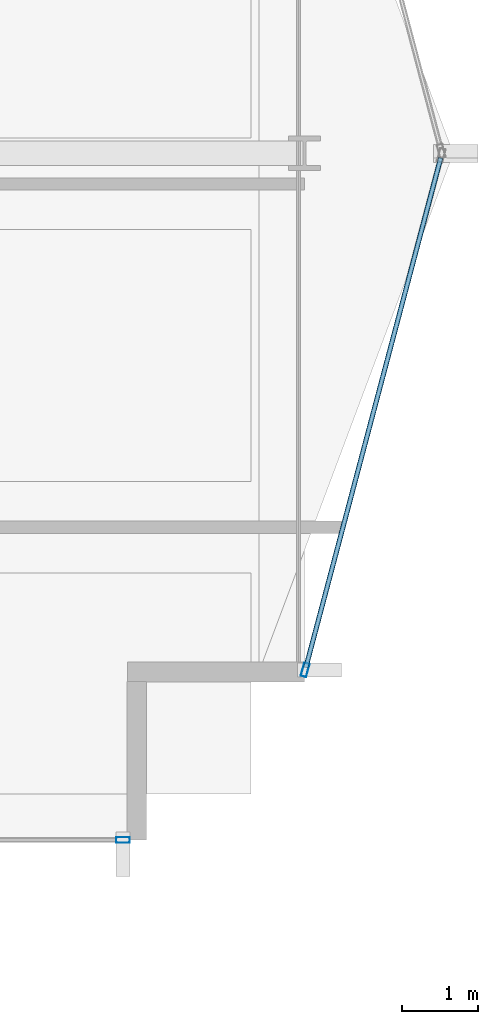
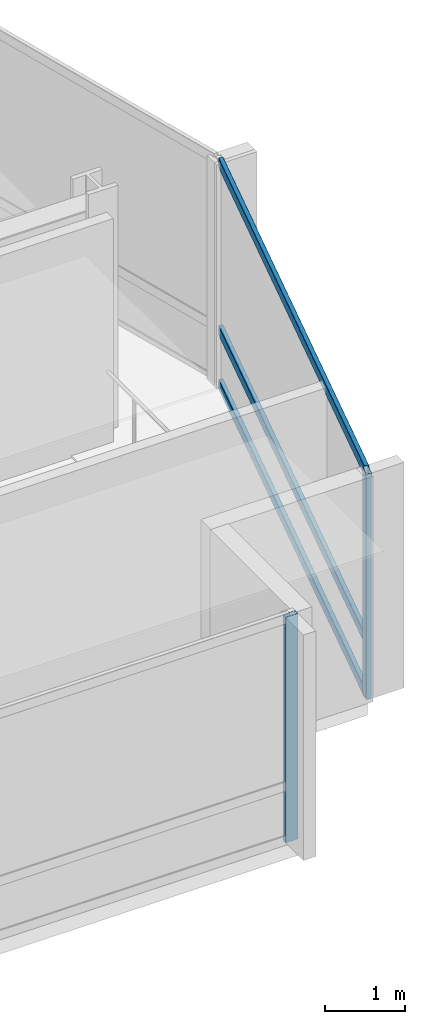
# One storey, part 11 of 29: 5 members, 2 elements without a shape of their own.
"""IFC4 building model written with IfcOpenShell, lengths in metres."""

from ifc_helpers import new_model, si_unit, direction, frame, origin, origin_2d, place, context, subcontext, project, spatial, hollow_rectangle, extrude, material, layer, layer_set, material_profile, profile_set, type_object, element, aggregate, save


model = new_model("IFC4")

# Units and contexts
model_context = context("Model", 3, precision=1e-05, world=origin(), true_north=direction((0.0, 1.0)))
body_context = subcontext(model_context, "Body", "Model", "MODEL_VIEW")
ifc_project = project(units=[si_unit("LENGTHUNIT", "METRE"), si_unit("AREAUNIT", "SQUARE_METRE"), si_unit("VOLUMEUNIT", "CUBIC_METRE"), si_unit("PLANEANGLEUNIT", "RADIAN"), si_unit("MASSUNIT", "GRAM", prefix="KILO")], contexts=[model_context])

# Site, building, storey
site_placement = place(None, origin())
site = spatial("IfcSite", under=ifc_project, at=site_placement, CompositionType="ELEMENT")
building_placement = place(site_placement, origin())
building = spatial("IfcBuilding", under=site, at=building_placement, Name="Solvaryn Broadcast Tower", CompositionType="ELEMENT")
storey_placement = place(building_placement, frame((0.0, 0.0, 117.39990234375)))
storey = spatial("IfcBuildingStorey", under=building, at=storey_placement, Name="L28", CompositionType="ELEMENT", Elevation=117.39990234375)

# Curtain wall, member
ifc_material_1 = material(Name="Aluminium and Terracotta Unitised Curtain Wall", Category="masonry")
ifc_layer = layer(ifc_material_1, 0.199951171875)
ifc_layer_set = layer_set([ifc_layer], Name="CW-SYS2-LOWMID")
curtain_wall_type = type_object("IfcCurtainWallType", Name="CW-SYS2-LOWMID", PredefinedType="NOTDEFINED", material=ifc_layer_set)
curtain_wall_1_placement = place(storey_placement, origin())
curtain_wall_1 = element("IfcCurtainWall", 1, at=curtain_wall_1_placement, inside=storey, type_object=curtain_wall_type, Name="L28 Curtain Wall S2", PredefinedType="NOTDEFINED")
ifc_material_2 = material(Name="Anodised Aluminium 6063-T6", Category="aluminium")
ifc_material_profile_1 = material_profile(ifc_material_2, hollow_rectangle(XDim=0.074951171875, YDim=0.179931640625, WallThickness=0.00390625, InnerFilletRadius=0.00390625, OuterFilletRadius=0.008056640625, at=origin_2d()))
ifc_profile_set_1 = profile_set([ifc_material_profile_1], Name="Anodised Aluminium 6063-T6")
member_type_1 = type_object("IfcMemberType", Name="CW-MUL-180", PredefinedType="MULLION", material=ifc_profile_set_1)
member_1_placement = place(storey_placement, frame((51.6201171875, 9.0, 0.0), z_axis=(0.0, 0.0, 1.0), x_axis=(0.0, 1.0, 0.0)))
member_1 = element("IfcMember", 2, at=member_1_placement, type_object=member_type_1, Name="CWS2 mullion 2", PredefinedType="MULLION", context=body_context, shape_type="SweptSolid", body=[
    extrude(hollow_rectangle(XDim=0.074951171875, YDim=0.179931640625, WallThickness=0.00390625, InnerFilletRadius=0.00390625, OuterFilletRadius=0.008056640625, at=origin_2d()), origin(), (0.0, 0.0, 1.0), 3.420166015625),
])
aggregate(curtain_wall_1, [member_1])

# Curtain wall, members
curtain_wall_2_placement = place(storey_placement, origin())
curtain_wall_2 = element("IfcCurtainWall", 3, at=curtain_wall_2_placement, inside=storey, type_object=curtain_wall_type, Name="L28 Curtain Wall ET2", PredefinedType="NOTDEFINED")
member_2_placement = place(storey_placement, frame((54.007568359375, 11.22900390625, 0.0), z_axis=(0.0, 0.0, 1.0), x_axis=(0.966705227863, -0.25589256031, 0.0)))
member_2 = element("IfcMember", 4, at=member_2_placement, type_object=member_type_1, Name="CWS2 mullion 2", PredefinedType="MULLION", context=body_context, shape_type="SweptSolid", body=[
    extrude(hollow_rectangle(XDim=0.074951171875, YDim=0.179931640625, WallThickness=0.00390625, InnerFilletRadius=0.00390625, OuterFilletRadius=0.008056640625, at=origin_2d()), origin(), (0.0, 0.0, 1.0), 3.420166015625),
])
ifc_material_3 = material(Name="Anodised Aluminium 6063-T6", Category="aluminium")
ifc_material_profile_2 = material_profile(ifc_material_3, hollow_rectangle(XDim=0.06494140625, YDim=0.14990234375, WallThickness=0.00390625, InnerFilletRadius=0.00390625, OuterFilletRadius=0.008056640625, at=origin_2d()))
ifc_profile_set_2 = profile_set([ifc_material_profile_2], Name="Anodised Aluminium 6063-T6")
member_type_2 = type_object("IfcMemberType", Name="CW-TRN-150", PredefinedType="USERDEFINED", material=ifc_profile_set_2)
member_3_placement = place(storey_placement, frame((55.78466796875, 17.94189453125, 0.030029296875), z_axis=(-0.255897413051, -0.966703943301, 0.0), x_axis=(0.966703943301, -0.255897413051, 0.0)))
member_3 = element("IfcMember", 5, at=member_3_placement, type_object=member_type_2, Name="CWS2 transom 1.1", ObjectType="TRANSOM", PredefinedType="USERDEFINED", context=body_context, shape_type="SweptSolid", body=[
    extrude(hollow_rectangle(XDim=0.06494140625, YDim=0.14990234375, WallThickness=0.00390625, InnerFilletRadius=0.00390625, OuterFilletRadius=0.008056640625, at=origin_2d()), origin(), (0.0, 0.0, 1.0), 6.9140625),
])
member_4_placement = place(storey_placement, frame((55.78466796875, 17.94189453125, 0.85009765625), z_axis=(-0.255897413051, -0.966703943301, 0.0), x_axis=(0.966703943301, -0.255897413051, 0.0)))
member_4 = element("IfcMember", 6, at=member_4_placement, type_object=member_type_2, Name="CWS2 transom 1.2", ObjectType="TRANSOM", PredefinedType="USERDEFINED", context=body_context, shape_type="SweptSolid", body=[
    extrude(hollow_rectangle(XDim=0.06494140625, YDim=0.14990234375, WallThickness=0.00390625, InnerFilletRadius=0.00390625, OuterFilletRadius=0.008056640625, at=origin_2d()), origin(), (0.0, 0.0, 1.0), 6.9140625),
])
member_5_placement = place(storey_placement, frame((55.78466796875, 17.94189453125, 3.39013671875), z_axis=(-0.255897413051, -0.966703943301, 0.0), x_axis=(0.966703943301, -0.255897413051, 0.0)))
member_5 = element("IfcMember", 7, at=member_5_placement, type_object=member_type_2, Name="CWS2 transom 1.3", ObjectType="TRANSOM", PredefinedType="USERDEFINED", context=body_context, shape_type="SweptSolid", body=[
    extrude(hollow_rectangle(XDim=0.06494140625, YDim=0.14990234375, WallThickness=0.00390625, InnerFilletRadius=0.00390625, OuterFilletRadius=0.008056640625, at=origin_2d()), origin(), (0.0, 0.0, 1.0), 6.9140625),
])
aggregate(curtain_wall_2, [member_2, member_3, member_4, member_5])

save(model, "model.ifc")
